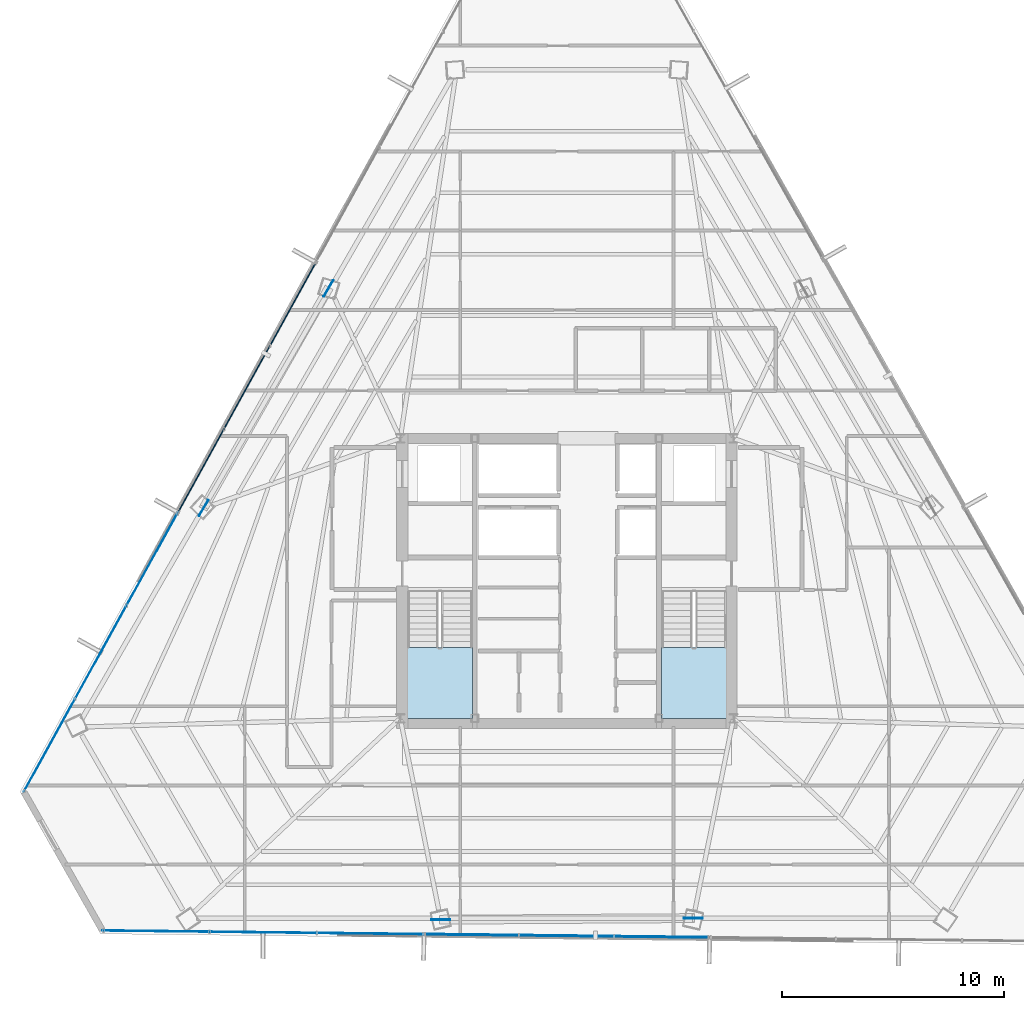
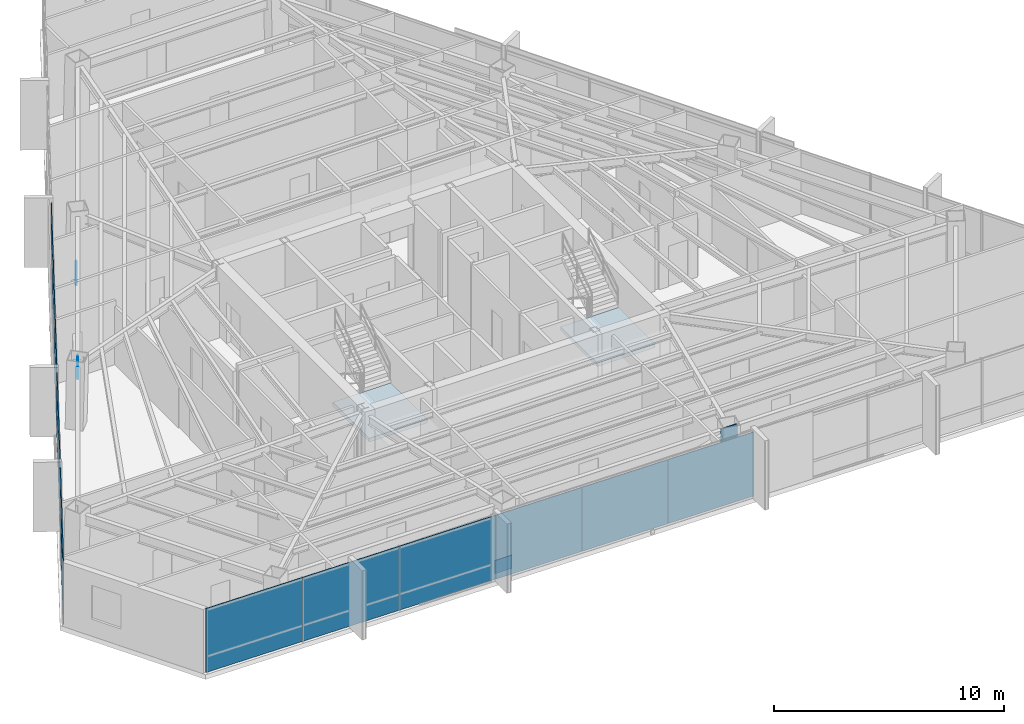
# One storey, part 33 of 42: 16 plates, 2 slabs, 6 elements without a shape of their own.
"""IFC4 building model written with IfcOpenShell, lengths in metres."""

from ifc_helpers import new_model, si_unit, direction, frame, origin, origin_2d, place, context, subcontext, project, spatial, polyline, rectangle, outline, extrude, source, transform, mapped, material, layer, layer_set, type_object, type_shapes, element, aggregate, save


model = new_model("IFC4")

# Units and contexts
model_context = context("Model", 3, precision=1e-05, world=origin(), true_north=direction((0.0, 1.0)))
body_context = subcontext(model_context, "Body", "Model", "MODEL_VIEW")
ifc_project = project(units=[si_unit("LENGTHUNIT", "METRE"), si_unit("AREAUNIT", "SQUARE_METRE"), si_unit("VOLUMEUNIT", "CUBIC_METRE"), si_unit("PLANEANGLEUNIT", "RADIAN"), si_unit("MASSUNIT", "GRAM", prefix="KILO")], contexts=[model_context])

# Site, building, storey
site_placement = place(None, origin())
site = spatial("IfcSite", under=ifc_project, at=site_placement, CompositionType="ELEMENT")
building_placement = place(site_placement, origin())
building = spatial("IfcBuilding", under=site, at=building_placement, Name="Caelisora Broadcast Tower", CompositionType="ELEMENT")
storey_placement = place(building_placement, frame((0.0, 0.0, 205.949951171875)))
storey = spatial("IfcBuildingStorey", under=building, at=storey_placement, Name="L54", CompositionType="ELEMENT", Elevation=205.949951171875)

# Stair, slab
ifc_material_1 = material(Name="Concrete 40 MPa (AS 3600 N40)", Category="concrete")
stair_type_1 = type_object("IfcStairType", Name="ST-1", PredefinedType="HALF_TURN_STAIR", material=ifc_material_1)
stair_1_placement = place(storey_placement, origin())
stair_1 = element("IfcStair", 1, at=stair_1_placement, inside=storey, type_object=stair_type_1, Name="L54 West Fire-Isolated Tower Stair", PredefinedType="HALF_TURN_STAIR")
ifc_layer_1 = layer(ifc_material_1, 0.199951171875, Name="Concrete 40 MPa (AS 3600 N40)")
ifc_layer_set_1 = layer_set([ifc_layer_1], Name="Concrete 40 MPa (AS 3600 N40)")
slab_type = type_object("IfcSlabType", Name="STL-1", PredefinedType="LANDING", material=ifc_layer_set_1)
slab_1_placement = place(storey_placement, frame((0.0, 0.0, 1.625)))
slab_1 = element("IfcSlab", 2, at=slab_1_placement, type_object=slab_type, Name="ST-1 landing 1", PredefinedType="LANDING", context=body_context, shape_type="SweptSolid", body=[
    extrude(outline(polyline([(30.820068359375, 20.580078125), (30.820068359375, 17.39990234375), (33.739990234375, 17.39990234375), (33.739990234375, 20.580078125), (30.820068359375, 20.580078125)])), origin(), (0.0, 0.0, 1.0), 0.199951171875),
])
aggregate(stair_1, [slab_1])

stair_type_2 = type_object("IfcStairType", Name="ST-2", PredefinedType="HALF_TURN_STAIR", material=ifc_material_1)
stair_2_placement = place(storey_placement, origin())
stair_2 = element("IfcStair", 3, at=stair_2_placement, inside=storey, type_object=stair_type_2, Name="L54 East Fire-Isolated Tower Stair", PredefinedType="HALF_TURN_STAIR")
slab_2_placement = place(storey_placement, frame((0.0, 0.0, 1.625)))
slab_2 = element("IfcSlab", 4, at=slab_2_placement, type_object=slab_type, Name="ST-2 landing 1", PredefinedType="LANDING", context=body_context, shape_type="SweptSolid", body=[
    extrude(outline(polyline([(42.260009765625, 20.580078125), (42.260009765625, 17.39990234375), (45.179931640625, 17.39990234375), (45.179931640625, 20.580078125), (42.260009765625, 20.580078125)])), origin(), (0.0, 0.0, 1.0), 0.199951171875),
])
aggregate(stair_2, [slab_2])

# Plates
ifc_material_2 = material(Name="Steel Grade 350 L15 (AS/NZS 3678)", Category="steel")
ifc_layer_2 = layer(ifc_material_2, 0.0400390625, Name="Steel Grade 350 L15 (AS/NZS 3678)")
ifc_layer_set_2 = layer_set([ifc_layer_2], Name="Steel Grade 350 L15 (AS/NZS 3678)")
plate_type_1 = type_object("IfcPlateType", Name="GP04", PredefinedType="USERDEFINED", material=ifc_layer_set_2)
shared_shape_1 = source(origin(), body_context, "Body", "SweptSolid", [
    extrude(rectangle(XDim=0.85009765625, YDim=0.0400390625, at=origin_2d()), origin(), (0.0, 0.0, 1.0), 0.699951171875),
])
type_shapes(plate_type_1, [shared_shape_1])
for number, where, z_axis, x_axis, name in (
    (5, (27.270751953125, 36.751220703125, -0.22998046875), (0.0, 0.0, 1.0), (-0.5, -0.866025403784, 0.0), "L54 gusset plate GP04 (ND-L54-C02B)"),
    (6, (21.64697265625, 26.865966796875, 2.72998046875), (0.0, 0.0, 1.0), (-0.5, -0.866025403784, 0.0), "L54 gusset plate GP04 (ND-L54-C03T)"),
    (7, (32.322021484375, 8.33251953125, -0.22998046875), (0.0, 0.0, 1.0), (1.0, 0.0, 0.0), "L54 gusset plate GP04 (ND-L54-C06B)"),
    (8, (43.694580078125, 8.40478515625, 2.72998046875), (0.0, 0.0, 1.0), (1.0, 0.0, 0.0), "L54 gusset plate GP04 (ND-L54-C07T)"),
):
    element("IfcPlate", number, at=place(storey_placement, frame(where, z_axis=z_axis, x_axis=x_axis)), inside=storey, type_object=plate_type_1, Name=name, ObjectType="GUSSET PLATE", PredefinedType="USERDEFINED", context=body_context, shape_type="MappedRepresentation", body=[
        mapped(shared_shape_1, transform((0.0, 0.0, 0.0), scale=1.0)),
    ])

# Curtain wall, plates
ifc_material_3 = material(Name="Unitised Aluminium Insulated Shadow-Box Spandrel Curtain Wall", Category="aluminium")
curtain_wall_type_1 = type_object("IfcCurtainWallType", Name="CW-SP2", PredefinedType="NOTDEFINED", material=ifc_material_3)
curtain_wall_1_placement = place(storey_placement, origin())
curtain_wall_1 = element("IfcCurtainWall", 9, at=curtain_wall_1_placement, inside=storey, type_object=curtain_wall_type_1, Name="L54 curtain wall CW-SP2", PredefinedType="NOTDEFINED")
ifc_material_4 = material(Name="Insulated Terracotta Shadow-Box Spandrel Panel", Category="aluminium")
ifc_layer_3 = layer(ifc_material_4, 0.0439453125, Name="Insulated Terracotta Shadow-Box Spandrel Panel")
ifc_layer_set_3 = layer_set([ifc_layer_3], Name="Insulated Terracotta Shadow-Box Spandrel Panel")
plate_type_2 = type_object("IfcPlateType", Name="CWP-10", PredefinedType="CURTAIN_PANEL", material=ifc_layer_set_3)
shared_shape_2 = source(origin(), body_context, "Body", "SweptSolid", [
    extrude(rectangle(XDim=4.28173828125, YDim=0.0439453125, at=origin_2d()), origin(), (0.0, 0.0, 1.0), 3.39990234375),
])
plate_1_placement = place(storey_placement, frame((42.273193359375, 7.556396484375, 0.0), z_axis=(0.0, 0.0, 1.0), x_axis=(-0.99993565026, 0.011344396795, 0.0)))
plate_1 = element("IfcPlate", 10, at=plate_1_placement, type_object=plate_type_2, Name="L54-CW-B06 spandrel panel #1", PredefinedType="CURTAIN_PANEL", context=body_context, shape_type="MappedRepresentation", body=[
    mapped(shared_shape_2, transform((0.0, 0.0, 0.0), scale=1.0)),
])
plate_2_placement = place(storey_placement, frame((37.99169921875, 7.605224609375, 0.0), z_axis=(0.0, 0.0, 1.0), x_axis=(-0.99993565026, 0.011344396795, 0.0)))
plate_2 = element("IfcPlate", 11, at=plate_2_placement, type_object=plate_type_2, Name="L54-CW-B06 spandrel panel #2", PredefinedType="CURTAIN_PANEL", context=body_context, shape_type="MappedRepresentation", body=[
    mapped(shared_shape_2, transform((0.0, 0.0, 0.0), scale=1.0)),
])
plate_3_placement = place(storey_placement, frame((33.710205078125, 7.65380859375, 0.0), z_axis=(0.0, 0.0, 1.0), x_axis=(-0.99993565026, 0.011344396795, 0.0)))
plate_3 = element("IfcPlate", 12, at=plate_3_placement, type_object=plate_type_2, Name="L54-CW-B06 spandrel panel #3", PredefinedType="CURTAIN_PANEL", context=body_context, shape_type="MappedRepresentation", body=[
    mapped(shared_shape_2, transform((0.0, 0.0, 0.0), scale=1.0)),
])
aggregate(curtain_wall_1, [plate_1, plate_2, plate_3])

ifc_material_5 = material(Name="Unitised Aluminium and Low-E Glass Curtain Wall", Category="glass")
curtain_wall_type_2 = type_object("IfcCurtainWallType", Name="CW-Z4", PredefinedType="NOTDEFINED", material=ifc_material_5)
curtain_wall_2_placement = place(storey_placement, origin())
curtain_wall_2 = element("IfcCurtainWall", 13, at=curtain_wall_2_placement, inside=storey, type_object=curtain_wall_type_2, Name="L54 curtain wall CW-Z4", PredefinedType="NOTDEFINED")
ifc_material_6 = material(Name="Double Glazed Low-E Argon IGU", Category="glass")
ifc_layer_4 = layer(ifc_material_6, 0.030029296875, Name="Double Glazed Low-E Argon IGU")
ifc_layer_set_4 = layer_set([ifc_layer_4], Name="Double Glazed Low-E Argon IGU")
plate_type_3 = type_object("IfcPlateType", Name="CWP-05", PredefinedType="CURTAIN_PANEL", material=ifc_layer_set_4)
shared_shape_3 = source(origin(), body_context, "Body", "SweptSolid", [
    extrude(rectangle(XDim=4.822021484375, YDim=0.030029296875, at=origin_2d()), origin(), (0.0, 0.0, 1.0), 3.39990234375),
])
plate_4_placement = place(storey_placement, frame((29.1484375, 7.705810546875, 0.0), z_axis=(0.0, 0.0, 1.0), x_axis=(-0.99993565026, 0.011344396795, 0.0)))
plate_4 = element("IfcPlate", 14, at=plate_4_placement, type_object=plate_type_3, Name="L54-CW-B07 glazed panel #1", PredefinedType="CURTAIN_PANEL", context=body_context, shape_type="MappedRepresentation", body=[
    mapped(shared_shape_3, transform((0.0, 0.0, 0.0), scale=1.0)),
])
plate_5_placement = place(storey_placement, frame((24.32666015625, 7.7607421875, 0.0), z_axis=(0.0, 0.0, 1.0), x_axis=(-0.99993565026, 0.011344396795, 0.0)))
plate_5 = element("IfcPlate", 15, at=plate_5_placement, type_object=plate_type_3, Name="L54-CW-B07 glazed panel #2", PredefinedType="CURTAIN_PANEL", context=body_context, shape_type="MappedRepresentation", body=[
    mapped(shared_shape_3, transform((0.0, 0.0, 0.0), scale=1.0)),
])
plate_6_placement = place(storey_placement, frame((19.5048828125, 7.815673828125, 0.0), z_axis=(0.0, 0.0, 1.0), x_axis=(-0.99993565026, 0.011344396795, 0.0)))
plate_6 = element("IfcPlate", 16, at=plate_6_placement, type_object=plate_type_3, Name="L54-CW-B07 glazed panel #3", PredefinedType="CURTAIN_PANEL", context=body_context, shape_type="MappedRepresentation", body=[
    mapped(shared_shape_3, transform((0.0, 0.0, 0.0), scale=1.0)),
])
aggregate(curtain_wall_2, [plate_4, plate_5, plate_6])

curtain_wall_3_placement = place(storey_placement, origin())
curtain_wall_3 = element("IfcCurtainWall", 17, at=curtain_wall_3_placement, inside=storey, type_object=curtain_wall_type_2, Name="L54 curtain wall CW-Z4", PredefinedType="NOTDEFINED")
shared_shape_4 = source(origin(), body_context, "Body", "SweptSolid", [
    extrude(rectangle(XDim=4.785888671875, YDim=0.030029296875, at=origin_2d()), origin(), (0.0, 0.0, 1.0), 3.39990234375),
])
type_shapes(plate_type_3, [shared_shape_3, shared_shape_4])
plate_7_placement = place(storey_placement, frame((14.708984375, 16.187255859375, 0.0), z_axis=(0.0, 0.0, 1.0), x_axis=(0.48312957851, 0.875548862354, 0.0)))
plate_7 = element("IfcPlate", 18, at=plate_7_placement, type_object=plate_type_3, Name="L54-CW-B09 glazed panel #1", PredefinedType="CURTAIN_PANEL", context=body_context, shape_type="MappedRepresentation", body=[
    mapped(shared_shape_4, transform((0.0, 0.0, 0.0), scale=1.0)),
])
plate_8_placement = place(storey_placement, frame((17.02099609375, 20.37744140625, 0.0), z_axis=(0.0, 0.0, 1.0), x_axis=(0.48312957851, 0.875548862354, 0.0)))
plate_8 = element("IfcPlate", 19, at=plate_8_placement, type_object=plate_type_3, Name="L54-CW-B09 glazed panel #2", PredefinedType="CURTAIN_PANEL", context=body_context, shape_type="MappedRepresentation", body=[
    mapped(shared_shape_4, transform((0.0, 0.0, 0.0), scale=1.0)),
])
plate_9_placement = place(storey_placement, frame((19.332763671875, 24.56787109375, 0.0), z_axis=(0.0, 0.0, 1.0), x_axis=(0.48312957851, 0.875548862354, 0.0)))
plate_9 = element("IfcPlate", 20, at=plate_9_placement, type_object=plate_type_3, Name="L54-CW-B09 glazed panel #3", PredefinedType="CURTAIN_PANEL", context=body_context, shape_type="MappedRepresentation", body=[
    mapped(shared_shape_4, transform((0.0, 0.0, 0.0), scale=1.0)),
])
aggregate(curtain_wall_3, [plate_7, plate_8, plate_9])

curtain_wall_4_placement = place(storey_placement, origin())
curtain_wall_4 = element("IfcCurtainWall", 21, at=curtain_wall_4_placement, inside=storey, type_object=curtain_wall_type_1, Name="L54 curtain wall CW-SP2", PredefinedType="NOTDEFINED")
shared_shape_5 = source(origin(), body_context, "Body", "SweptSolid", [
    extrude(rectangle(XDim=4.281494140625, YDim=0.0439453125, at=origin_2d()), origin(), (0.0, 0.0, 1.0), 3.39990234375),
])
type_shapes(plate_type_2, [shared_shape_2, shared_shape_5])
plate_10_placement = place(storey_placement, frame((21.527587890625, 28.546142578125, 0.0), z_axis=(0.0, 0.0, 1.0), x_axis=(0.48312957851, 0.875548862354, 0.0)))
plate_10 = element("IfcPlate", 22, at=plate_10_placement, type_object=plate_type_2, Name="L54-CW-B10 spandrel panel #1", PredefinedType="CURTAIN_PANEL", context=body_context, shape_type="MappedRepresentation", body=[
    mapped(shared_shape_5, transform((0.0, 0.0, 0.0), scale=1.0)),
])
plate_11_placement = place(storey_placement, frame((23.595947265625, 32.294921875, 0.0), z_axis=(0.0, 0.0, 1.0), x_axis=(0.48312957851, 0.875548862354, 0.0)))
plate_11 = element("IfcPlate", 23, at=plate_11_placement, type_object=plate_type_2, Name="L54-CW-B10 spandrel panel #2", PredefinedType="CURTAIN_PANEL", context=body_context, shape_type="MappedRepresentation", body=[
    mapped(shared_shape_5, transform((0.0, 0.0, 0.0), scale=1.0)),
])
plate_12_placement = place(storey_placement, frame((25.664306640625, 36.04345703125, 0.0), z_axis=(0.0, 0.0, 1.0), x_axis=(0.48312957851, 0.875548862354, 0.0)))
plate_12 = element("IfcPlate", 24, at=plate_12_placement, type_object=plate_type_2, Name="L54-CW-B10 spandrel panel #3", PredefinedType="CURTAIN_PANEL", context=body_context, shape_type="MappedRepresentation", body=[
    mapped(shared_shape_5, transform((0.0, 0.0, 0.0), scale=1.0)),
])
aggregate(curtain_wall_4, [plate_10, plate_11, plate_12])

save(model, "model.ifc")
